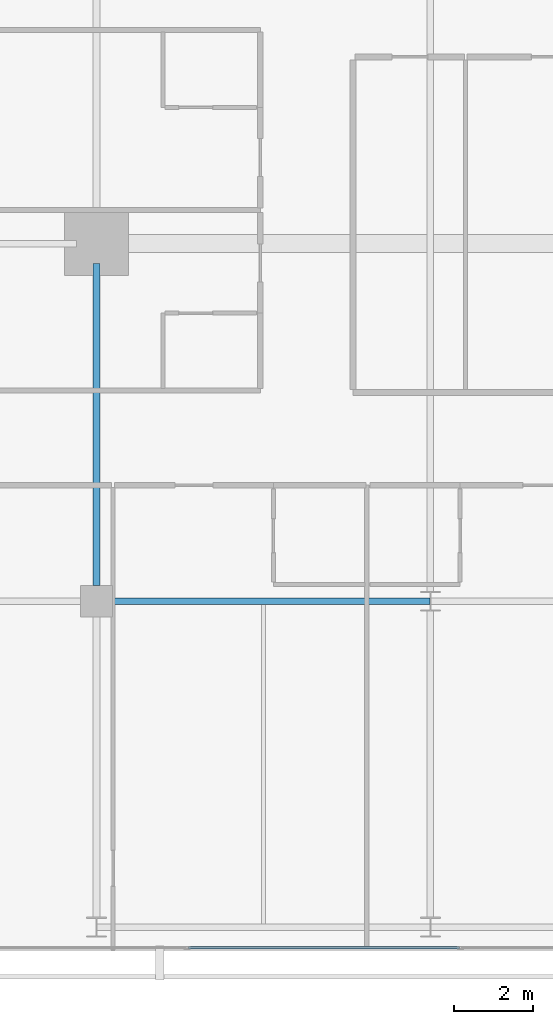
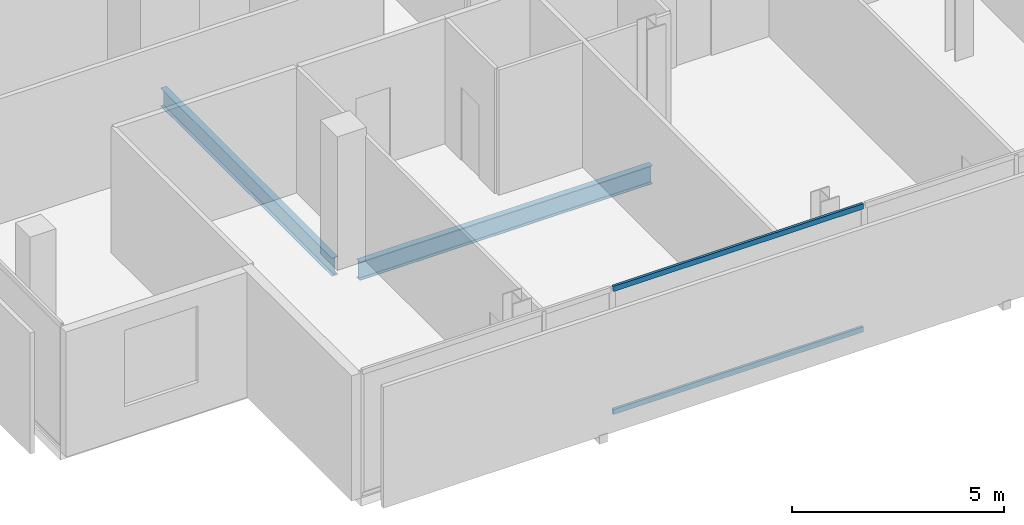
# One storey, part 5 of 25: 2 beams, 2 members, 1 element without a shape of its own.
"""IFC4 building model written with IfcOpenShell, lengths in metres."""

from ifc_helpers import new_model, si_unit, direction, frame, origin, origin_2d, place, context, subcontext, project, spatial, hollow_rectangle, i_section, extrude, material, layer, layer_set, material_profile, profile_set, type_object, element, aggregate, save


model = new_model("IFC4")

# Units and contexts
model_context = context("Model", 3, precision=1e-05, world=origin(), true_north=direction((0.0, 1.0)))
body_context = subcontext(model_context, "Body", "Model", "MODEL_VIEW")
ifc_project = project(units=[si_unit("LENGTHUNIT", "METRE"), si_unit("AREAUNIT", "SQUARE_METRE"), si_unit("VOLUMEUNIT", "CUBIC_METRE"), si_unit("PLANEANGLEUNIT", "RADIAN"), si_unit("MASSUNIT", "GRAM", prefix="KILO")], contexts=[model_context])

# Site, building, storey
site_placement = place(None, origin())
site = spatial("IfcSite", under=ifc_project, at=site_placement, CompositionType="ELEMENT")
building_placement = place(site_placement, origin())
building = spatial("IfcBuilding", under=site, at=building_placement, Name="Maruvema Waterfront Hotel and Observation Tower", CompositionType="ELEMENT")
storey_placement = place(building_placement, frame((0.0, 0.0, 304.85009765625)))
storey = spatial("IfcBuildingStorey", under=building, at=storey_placement, Name="L75", CompositionType="ELEMENT", Elevation=304.85009765625)

# Curtain wall, members
ifc_material_1 = material(Name="Anodised bronze aluminium and solar-control low-E IGU", Category="aluminium")
ifc_layer = layer(ifc_material_1, 0.159912109375, Name="Zone 3 Champagne Inner Thermal Curtain Wall System CW-04")
ifc_layer_set = layer_set([ifc_layer], Name="Anodised bronze aluminium and solar-control low-E IGU")
curtain_wall_type = type_object("IfcCurtainWallType", Name="Zone 3 Champagne Inner Thermal Curtain Wall System CW-04", PredefinedType="USERDEFINED", material=ifc_layer_set)
curtain_wall_placement = place(storey_placement, origin())
curtain_wall = element("IfcCurtainWall", 1, at=curtain_wall_placement, inside=storey, type_object=curtain_wall_type, Name="L75 Curtain Wall CW-L75-S", ObjectType="UNITISED CURTAIN WALL", PredefinedType="USERDEFINED")
ifc_material_2 = material(Name="Anodised architectural bronze aluminium", Category="aluminium")
ifc_material_profile_1 = material_profile(ifc_material_2, hollow_rectangle(XDim=0.070068359375, YDim=0.14990234375, WallThickness=0.00390625, at=origin_2d()), Name="ALU-T70x150")
ifc_profile_set_1 = profile_set([ifc_material_profile_1], Name="Anodised architectural bronze aluminium")
member_type = type_object("IfcMemberType", Name="Curtain Wall Horizontal Transom ALU-T70x150", PredefinedType="USERDEFINED", material=ifc_profile_set_1)
member_1_placement = place(storey_placement, frame((27.510009765625, 9.280029296875, 0.02978515625), z_axis=(1.0, 0.0, 0.0), x_axis=(0.0, 1.0, 0.0)))
member_1 = element("IfcMember", 2, at=member_1_placement, type_object=member_type, Name="CW-04 transom 2.1", ObjectType="TRANSOM", PredefinedType="USERDEFINED", context=body_context, shape_type="SweptSolid", body=[
    extrude(hollow_rectangle(XDim=0.070068359375, YDim=0.14990234375, WallThickness=0.00390625, at=origin_2d()), origin(), (0.0, 0.0, 1.0), 6.820068359375),
])
member_2_placement = place(storey_placement, frame((27.510009765625, 9.280029296875, 3.579833984375), z_axis=(1.0, 0.0, 0.0), x_axis=(0.0, 1.0, 0.0)))
member_2 = element("IfcMember", 3, at=member_2_placement, type_object=member_type, Name="CW-04 transom 2.2", ObjectType="TRANSOM", PredefinedType="USERDEFINED", context=body_context, shape_type="SweptSolid", body=[
    extrude(hollow_rectangle(XDim=0.070068359375, YDim=0.14990234375, WallThickness=0.00390625, at=origin_2d()), origin(), (0.0, 0.0, 1.0), 6.820068359375),
])
aggregate(curtain_wall, [member_1, member_2])

# Beams
ifc_material_3 = material(Name="Steel ASTM A572 Grade 50", Category="steel")
ifc_material_profile_2 = material_profile(ifc_material_3, i_section(OverallWidth=0.166015625, OverallDepth=0.529052734375, WebThickness=0.009765625, FlangeThickness=0.013671875, FilletRadius=0.014892578125, at=origin_2d()), Name="W530x74.0")
ifc_profile_set_2 = profile_set([ifc_material_profile_2], Name="Steel ASTM A572 Grade 50")
beam_type = type_object("IfcBeamType", Name="Primary Floor Girder W530x74.0", PredefinedType="BEAM", material=ifc_profile_set_2)
beam_1_placement = place(storey_placement, frame((25.60009765625, 18.0, -0.504638671875), z_axis=(1.0, 0.0, 0.0), x_axis=(0.0, 1.0, 0.0)))
element("IfcBeam", 4, at=beam_1_placement, inside=storey, type_object=beam_type, Name="L75 Floor Girder EW-05", PredefinedType="BEAM", context=body_context, shape_type="SweptSolid", body=[
    extrude(i_section(OverallWidth=0.166015625, OverallDepth=0.529052734375, WebThickness=0.009765625, FlangeThickness=0.013671875, FilletRadius=0.014892578125, at=origin_2d()), origin(), (0.0, 0.0, 1.0), 7.989013671875),
])
beam_2_placement = place(storey_placement, frame((25.199951171875, 18.39990234375, -0.504638671875), z_axis=(0.0, 1.0, 0.0), x_axis=(-1.0, 0.0, 0.0)))
element("IfcBeam", 5, at=beam_2_placement, inside=storey, type_object=beam_type, Name="L75 Floor Girder NS-05", PredefinedType="BEAM", context=body_context, shape_type="SweptSolid", body=[
    extrude(i_section(OverallWidth=0.166015625, OverallDepth=0.529052734375, WebThickness=0.009765625, FlangeThickness=0.013671875, FilletRadius=0.014892578125, at=origin_2d()), origin(), (0.0, 0.0, 1.0), 8.10009765625),
])

save(model, "model.ifc")
